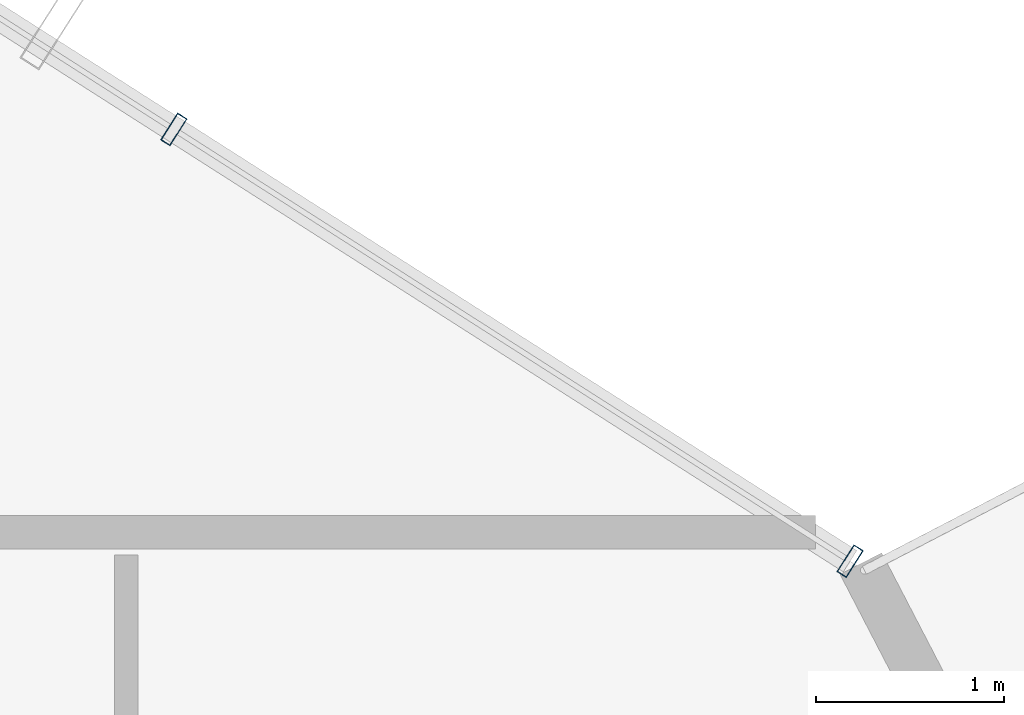
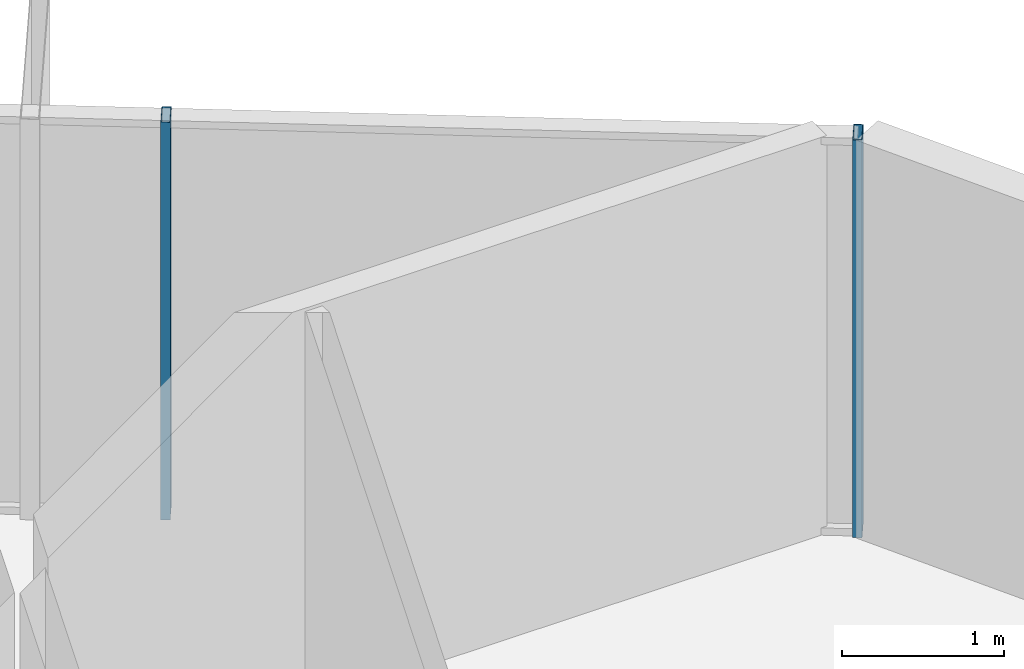
# One storey, part 24 of 30: 2 members, 1 element without a shape of its own.
"""IFC4 building model written with IfcOpenShell, lengths in metres."""

from ifc_helpers import new_model, si_unit, direction, frame, origin, origin_2d, place, context, subcontext, project, spatial, hollow_rectangle, extrude, source, transform, mapped, material, layer, layer_set, material_profile, profile_set, type_object, element, aggregate, save


model = new_model("IFC4")

# Units and contexts
model_context = context("Model", 3, precision=1e-05, world=origin(), true_north=direction((0.0, 1.0)))
body_context = subcontext(model_context, "Body", "Model", "MODEL_VIEW")
ifc_project = project(units=[si_unit("LENGTHUNIT", "METRE"), si_unit("AREAUNIT", "SQUARE_METRE"), si_unit("VOLUMEUNIT", "CUBIC_METRE"), si_unit("PLANEANGLEUNIT", "RADIAN"), si_unit("MASSUNIT", "GRAM", prefix="KILO")], contexts=[model_context])

# Site, building, storey
site_placement = place(None, origin())
site = spatial("IfcSite", under=ifc_project, at=site_placement, CompositionType="ELEMENT")
building_placement = place(site_placement, origin())
building = spatial("IfcBuilding", under=site, at=building_placement, Name="Veraguas Prism Commons", CompositionType="ELEMENT")
storey_placement = place(building_placement, frame((0.0, 0.0, 119.75)))
storey = spatial("IfcBuildingStorey", under=building, at=storey_placement, Name="L33", CompositionType="ELEMENT", Elevation=119.75)

# Curtain wall, members
ifc_material = material(Name="Anodised aluminium EN AW-6063 T6", Category="aluminium")
ifc_layer = layer(ifc_material, 0.169921875, Name="Unitised Flush Curtain Wall Zone 2", Category="aluminium")
ifc_layer_set = layer_set([ifc_layer], Name="Anodised aluminium EN AW-6063 T6")
curtain_wall_type = type_object("IfcCurtainWallType", Name="Unitised Flush Curtain Wall Zone 2", PredefinedType="NOTDEFINED", material=ifc_layer_set)
curtain_wall_placement = place(storey_placement, origin())
curtain_wall = element("IfcCurtainWall", 1, at=curtain_wall_placement, inside=storey, type_object=curtain_wall_type, Name="Tower Facade Curtain Wall L33-F1", PredefinedType="NOTDEFINED")
ifc_material_profile = material_profile(ifc_material, hollow_rectangle(XDim=0.06005859375, YDim=0.169921875, WallThickness=0.00390625, at=origin_2d()), Name="AL60X170X4")
ifc_profile_set = profile_set([ifc_material_profile], Name="Anodised aluminium EN AW-6063 T6")
member_type = type_object("IfcMemberType", Name="Curtain Wall Mullion Lower AL 60x170x4", PredefinedType="MULLION", material=ifc_profile_set)
shared_shape = source(origin(), body_context, "Body", "SweptSolid", [
    extrude(hollow_rectangle(XDim=0.06005859375, YDim=0.169921875, WallThickness=0.00390625, at=origin_2d()), origin(), (0.0, 0.0, 1.0), 3.0),
])
member_1_placement = place(storey_placement, frame((41.56103515625, 35.546142578125, 0.0), z_axis=(0.0, 0.0, 1.0), x_axis=(-0.842827385334, 0.538183982047, 0.0)))
member_1 = element("IfcMember", 2, at=member_1_placement, type_object=member_type, Name="CW-Z2 Mullion 1", PredefinedType="MULLION", context=body_context, shape_type="MappedRepresentation", body=[
    mapped(shared_shape, transform((0.0, 0.0, 0.0), scale=1.0)),
])
member_2_placement = place(storey_placement, frame((37.955078125, 37.8486328125, 0.0), z_axis=(0.0, 0.0, 1.0), x_axis=(-0.842827385334, 0.538183982047, 0.0)))
member_2 = element("IfcMember", 3, at=member_2_placement, type_object=member_type, Name="CW-Z2 Mullion 2", PredefinedType="MULLION", context=body_context, shape_type="MappedRepresentation", body=[
    mapped(shared_shape, transform((0.0, 0.0, 0.0), scale=1.0)),
])
aggregate(curtain_wall, [member_1, member_2])

save(model, "model.ifc")
